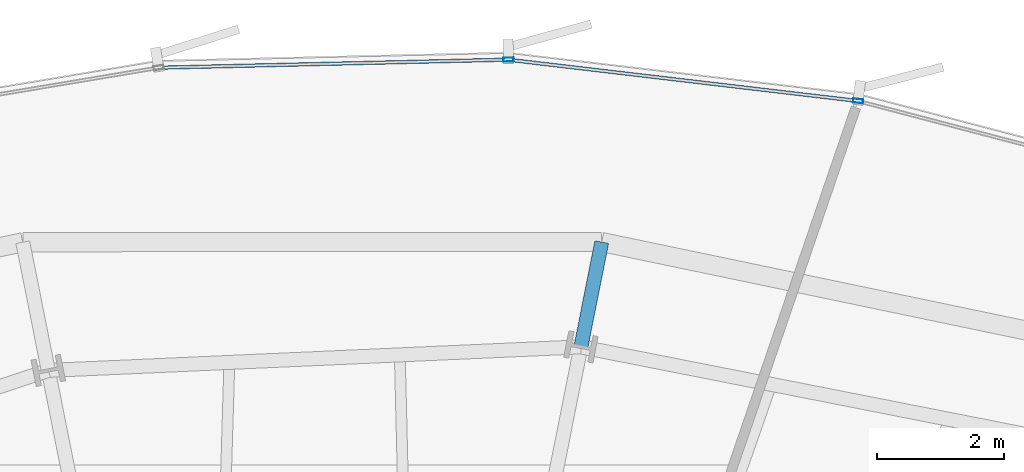
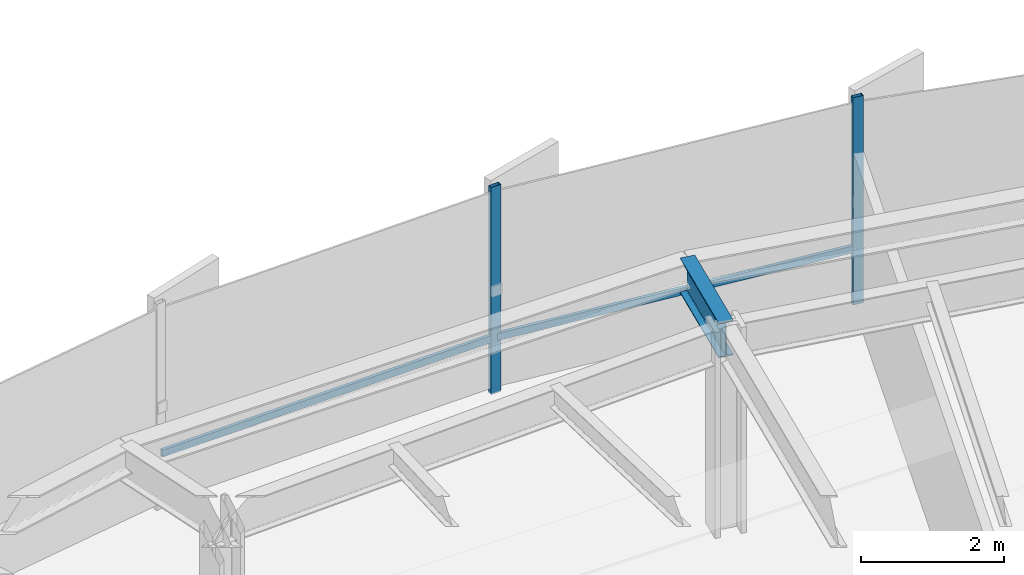
# One storey, part 27 of 38: 4 members, 1 beam, 1 element without a shape of its own.
"""IFC4 building model written with IfcOpenShell, lengths in metres."""

from ifc_helpers import new_model, si_unit, direction, frame, origin, origin_2d, place, context, subcontext, project, spatial, hollow_rectangle, i_section, extrude, source, transform, mapped, material, layer, layer_set, material_profile, profile_set, type_object, element, aggregate, save


model = new_model("IFC4")

# Units and contexts
model_context = context("Model", 3, precision=1e-05, world=origin(), true_north=direction((0.0, 1.0)))
body_context = subcontext(model_context, "Body", "Model", "MODEL_VIEW")
ifc_project = project(units=[si_unit("LENGTHUNIT", "METRE"), si_unit("AREAUNIT", "SQUARE_METRE"), si_unit("VOLUMEUNIT", "CUBIC_METRE"), si_unit("PLANEANGLEUNIT", "RADIAN"), si_unit("MASSUNIT", "GRAM", prefix="KILO"), si_unit("THERMODYNAMICTEMPERATUREUNIT", "KELVIN")], contexts=[model_context])

# Site, building, storey
site_placement = place(None, origin())
site = spatial("IfcSite", under=ifc_project, at=site_placement, CompositionType="ELEMENT")
building_placement = place(site_placement, origin())
building = spatial("IfcBuilding", under=site, at=building_placement, Name="Kethvar Cultural Tower", CompositionType="ELEMENT")
storey_placement = place(building_placement, frame((0.0, 0.0, 52.39990234375)))
storey = spatial("IfcBuildingStorey", under=building, at=storey_placement, Name="L12", CompositionType="ELEMENT", Elevation=52.39990234375)

# Beam
ifc_material_1 = material(Name="Steel S355J2", Category="steel")
ifc_material_profile_1 = material_profile(ifc_material_1, i_section(OverallWidth=0.219970703125, OverallDepth=0.60009765625, WebThickness=0.011962890625, FlangeThickness=0.01904296875, FilletRadius=0.02392578125, at=origin_2d()), Name="Steel S355J2 — IPE600")
ifc_profile_set_1 = profile_set([ifc_material_profile_1], Name="Steel S355J2 — IPE600")
beam_type = type_object("IfcBeamType", Name="BM-IPE600", PredefinedType="BEAM", material=ifc_profile_set_1)
shared_shape_1 = source(origin(), body_context, "Body", "SweptSolid", [
    extrude(i_section(OverallWidth=0.219970703125, OverallDepth=0.60009765625, WebThickness=0.011962890625, FlangeThickness=0.01904296875, FilletRadius=0.02392578125, at=origin_2d()), origin(), (0.0, 0.0, 1.0), 1.6796875),
])
beam_placement = place(storey_placement, frame((51.022216796875, 49.02587890625, 3.248046875), z_axis=(0.195053878712, 0.980792528723, 0.0), x_axis=(-0.980792528723, 0.195053878712, 0.0)))
element("IfcBeam", 1, at=beam_placement, inside=storey, type_object=beam_type, Name="L12 Perimeter Cantilever Beam RC-04", PredefinedType="BEAM", context=body_context, shape_type="MappedRepresentation", body=[
    mapped(shared_shape_1, transform((0.0, 0.0, 0.0), scale=1.0)),
])

# Curtain wall, members
ifc_material_2 = material(Name="Aluminium 6063-T6", Category="aluminium")
ifc_layer = layer(ifc_material_2, 0.179931640625, Name="Aluminium 6063-T6", Category="aluminium")
ifc_layer_set = layer_set([ifc_layer], Name="Aluminium 6063-T6 (180 mm)")
curtain_wall_type = type_object("IfcCurtainWallType", Name="CW-SYS-02-Z1", PredefinedType="NOTDEFINED", material=ifc_layer_set)
curtain_wall_placement = place(storey_placement, origin())
curtain_wall = element("IfcCurtainWall", 2, at=curtain_wall_placement, inside=storey, type_object=curtain_wall_type, Name="L12 Curtain Wall Run 02", PredefinedType="NOTDEFINED")
ifc_material_profile_2 = material_profile(ifc_material_2, hollow_rectangle(XDim=0.06494140625, YDim=0.159912109375, WallThickness=0.0048828125, at=origin_2d()), Name="Aluminium 6063-T6 — RHS160x65x5")
ifc_profile_set_2 = profile_set([ifc_material_profile_2], Name="Aluminium 6063-T6 — RHS160x65x5")
member_type_1 = type_object("IfcMemberType", Name="CW-SYS-02-Z1-MUL", PredefinedType="MULLION", material=ifc_profile_set_2)
shared_shape_2 = source(origin(), body_context, "Body", "SweptSolid", [
    extrude(hollow_rectangle(XDim=0.06494140625, YDim=0.159912109375, WallThickness=0.0048828125, at=origin_2d()), origin(), (0.0, 0.0, 1.0), 3.550048828125),
])
member_1_placement = place(storey_placement, frame((55.379150390625, 52.889892578125, 0.0), z_axis=(0.0, 0.0, 1.0), x_axis=(-0.117173410972, -0.993111469958, 0.0)))
member_1 = element("IfcMember", 3, at=member_1_placement, type_object=member_type_1, Name="CW-L12-R02 Mullion 2", PredefinedType="MULLION", context=body_context, shape_type="MappedRepresentation", body=[
    mapped(shared_shape_2, transform((0.0, 0.0, 0.0), scale=1.0)),
])
member_2_placement = place(storey_placement, frame((49.884521484375, 53.53955078125, 0.0), z_axis=(0.0, 0.0, 1.0), x_axis=(0.022983962173, -0.99973583385, 0.0)))
member_2 = element("IfcMember", 4, at=member_2_placement, type_object=member_type_1, Name="CW-L12-R02 Mullion 3", PredefinedType="MULLION", context=body_context, shape_type="MappedRepresentation", body=[
    mapped(shared_shape_2, transform((0.0, 0.0, 0.0), scale=1.0)),
])
ifc_material_profile_3 = material_profile(ifc_material_2, hollow_rectangle(XDim=0.054931640625, YDim=0.1201171875, WallThickness=0.00390625, at=origin_2d()), Name="Aluminium 6063-T6 — RHS120x55x4")
ifc_profile_set_3 = profile_set([ifc_material_profile_3], Name="Aluminium 6063-T6 — RHS120x55x4")
member_type_2 = type_object("IfcMemberType", Name="CW-SYS-02-Z1-TRN", PredefinedType="USERDEFINED", material=ifc_profile_set_3)
shared_shape_3 = source(origin(), body_context, "Body", "SweptSolid", [
    extrude(hollow_rectangle(XDim=0.054931640625, YDim=0.1201171875, WallThickness=0.00390625, at=origin_2d()), origin(), (0.0, 0.0, 1.0), 5.456298828125),
])
member_3_placement = place(storey_placement, frame((55.332763671875, 52.8955078125, 0.9501953125), z_axis=(-0.99310992278, 0.11718652344, 0.0), x_axis=(-0.11718652344, -0.99310992278, 0.0)))
member_3 = element("IfcMember", 5, at=member_3_placement, type_object=member_type_2, Name="CW-L12-R02 Transom 2", ObjectType="TRANSOM", PredefinedType="USERDEFINED", context=body_context, shape_type="MappedRepresentation", body=[
    mapped(shared_shape_3, transform((0.0, 0.0, 0.0), scale=1.0)),
])
shared_shape_4 = source(origin(), body_context, "Body", "SweptSolid", [
    extrude(hollow_rectangle(XDim=0.054931640625, YDim=0.1201171875, WallThickness=0.00390625, at=origin_2d()), origin(), (0.0, 0.0, 1.0), 5.422119140625),
])
member_4_placement = place(storey_placement, frame((49.837646484375, 53.53857421875, 0.9501953125), z_axis=(-0.999735262174, -0.023008814979, 0.0), x_axis=(0.023008814979, -0.999735262174, 0.0)))
member_4 = element("IfcMember", 6, at=member_4_placement, type_object=member_type_2, Name="CW-L12-R02 Transom 3", ObjectType="TRANSOM", PredefinedType="USERDEFINED", context=body_context, shape_type="MappedRepresentation", body=[
    mapped(shared_shape_4, transform((0.0, 0.0, 0.0), scale=1.0)),
])
aggregate(curtain_wall, [member_1, member_2, member_3, member_4])

save(model, "model.ifc")
